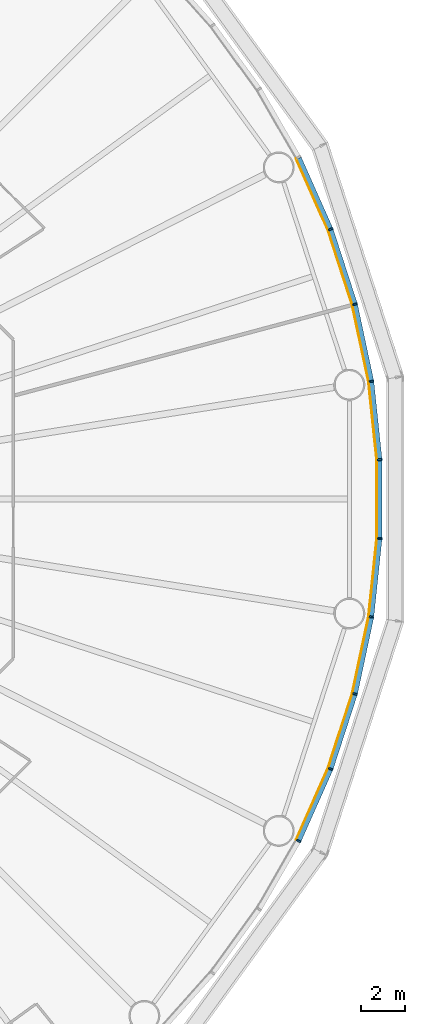
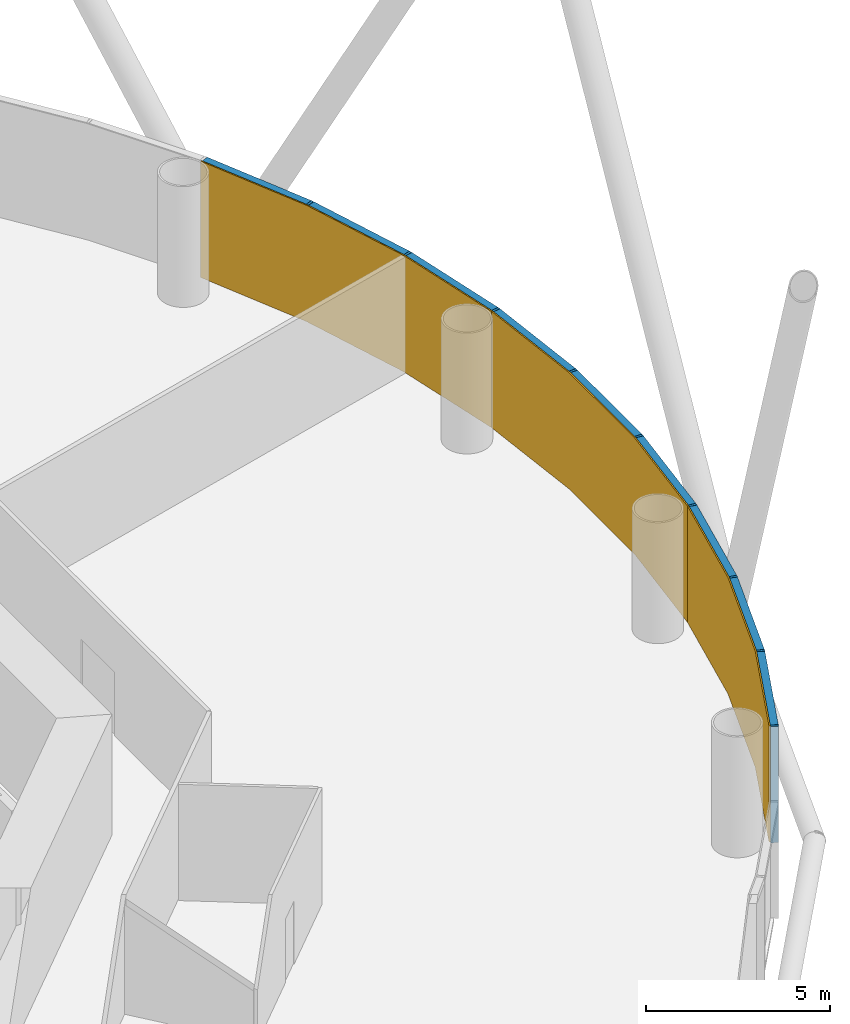
# One storey, part 11 of 13: 18 members, 3 curtain walls.
"""IFC4 building model written with IfcOpenShell, lengths in metres."""

from ifc_helpers import new_model, si_unit, direction, frame, origin, origin_2d, place, context, subcontext, project, spatial, polyline, rectangle, outline, extrude, material, layer, layer_set, material_profile, profile_set, type_object, element, aggregate, save


model = new_model("IFC4")

# Units and contexts
model_context = context("Model", 3, precision=1e-05, world=origin(), true_north=direction((0.0, 1.0)))
body_context = subcontext(model_context, "Body", "Model", "MODEL_VIEW")
ifc_project = project(units=[si_unit("LENGTHUNIT", "METRE"), si_unit("AREAUNIT", "SQUARE_METRE"), si_unit("VOLUMEUNIT", "CUBIC_METRE"), si_unit("PLANEANGLEUNIT", "RADIAN"), si_unit("MASSUNIT", "GRAM", prefix="KILO")], contexts=[model_context])

# Member
ifc_material_1 = material(Name="Anodised aluminium", Category="aluminium")
ifc_material_profile_1 = material_profile(ifc_material_1, rectangle(XDim=0.074951171875, YDim=0.219970703125, at=origin_2d()), Name="Mullion 75 x 220 mm anodised aluminium")
ifc_profile_set_1 = profile_set([ifc_material_profile_1], Name="Anodised aluminium")
member_type_1 = type_object("IfcMemberType", Name="Mullion 75 x 220 mm anodised aluminium", PredefinedType="MULLION", material=ifc_profile_set_1)
site_placement = place(None, origin())
building_placement = place(site_placement, origin())
storey_placement = place(building_placement, frame((0.0, 0.0, 18.0)))
member_1_placement = place(storey_placement, frame((123.68994140625, 85.3359375, 0.0), z_axis=(0.0, 0.0, 1.0), x_axis=(-0.15643446504, 0.987688340595, 0.0)))
member_1 = element("IfcMember", 1, at=member_1_placement, type_object=member_type_1, Name="MULLION L02-00", PredefinedType="MULLION", context=body_context, shape_type="SweptSolid", body=[
    extrude(rectangle(XDim=0.074951171875, YDim=0.219970703125, at=origin_2d()), origin(), (0.0, 0.0, 1.0), 3.85009765625),
])

member_2_placement = place(storey_placement, frame((122.94775390625, 88.828369140625, 0.0), z_axis=(0.0, 0.0, 1.0), x_axis=(-0.258819045103, 0.965925826289, 0.0)))
member_2 = element("IfcMember", 2, at=member_2_placement, type_object=member_type_1, Name="MULLION L02-01", PredefinedType="MULLION", context=body_context, shape_type="SweptSolid", body=[
    extrude(rectangle(XDim=0.074951171875, YDim=0.219970703125, at=origin_2d()), origin(), (0.0, 0.0, 1.0), 3.85009765625),
])

member_3_placement = place(storey_placement, frame((121.844482421875, 92.223876953125, 0.0), z_axis=(0.0, 0.0, 1.0), x_axis=(-0.358367949545, 0.933580426497, 0.0)))
member_3 = element("IfcMember", 3, at=member_3_placement, type_object=member_type_1, Name="MULLION L02-02", PredefinedType="MULLION", context=body_context, shape_type="SweptSolid", body=[
    extrude(rectangle(XDim=0.074951171875, YDim=0.219970703125, at=origin_2d()), origin(), (0.0, 0.0, 1.0), 3.85009765625),
])

member_4_placement = place(storey_placement, frame((120.392333984375, 64.514404296875, 0.0), z_axis=(0.0, 0.0, 1.0), x_axis=(0.45399049974, 0.891006524188, 0.0)))
member_4 = element("IfcMember", 4, at=member_4_placement, type_object=member_type_1, Name="MULLION L02-54", PredefinedType="MULLION", context=body_context, shape_type="SweptSolid", body=[
    extrude(rectangle(XDim=0.074951171875, YDim=0.219970703125, at=origin_2d()), origin(), (0.0, 0.0, 1.0), 3.85009765625),
])

member_5_placement = place(storey_placement, frame((121.844482421875, 67.776123046875, 0.0), z_axis=(0.0, 0.0, 1.0), x_axis=(0.358367949545, 0.933580426497, 0.0)))
member_5 = element("IfcMember", 5, at=member_5_placement, type_object=member_type_1, Name="MULLION L02-55", PredefinedType="MULLION", context=body_context, shape_type="SweptSolid", body=[
    extrude(rectangle(XDim=0.074951171875, YDim=0.219970703125, at=origin_2d()), origin(), (0.0, 0.0, 1.0), 3.85009765625),
])

member_6_placement = place(storey_placement, frame((122.94775390625, 71.171630859375, 0.0), z_axis=(0.0, 0.0, 1.0), x_axis=(0.258819045103, 0.965925826289, 0.0)))
member_6 = element("IfcMember", 6, at=member_6_placement, type_object=member_type_1, Name="MULLION L02-56", PredefinedType="MULLION", context=body_context, shape_type="SweptSolid", body=[
    extrude(rectangle(XDim=0.074951171875, YDim=0.219970703125, at=origin_2d()), origin(), (0.0, 0.0, 1.0), 3.85009765625),
])

member_7_placement = place(storey_placement, frame((123.68994140625, 74.6640625, 0.0), z_axis=(0.0, 0.0, 1.0), x_axis=(0.15643446504, 0.987688340595, 0.0)))
member_7 = element("IfcMember", 7, at=member_7_placement, type_object=member_type_1, Name="MULLION L02-57", PredefinedType="MULLION", context=body_context, shape_type="SweptSolid", body=[
    extrude(rectangle(XDim=0.074951171875, YDim=0.219970703125, at=origin_2d()), origin(), (0.0, 0.0, 1.0), 3.85009765625),
])

member_8_placement = place(storey_placement, frame((124.063232421875, 78.21484375, 0.0), z_axis=(0.0, 0.0, 1.0), x_axis=(0.052335956243, 0.998629534755, 0.0)))
member_8 = element("IfcMember", 8, at=member_8_placement, type_object=member_type_1, Name="MULLION L02-58", PredefinedType="MULLION", context=body_context, shape_type="SweptSolid", body=[
    extrude(rectangle(XDim=0.074951171875, YDim=0.219970703125, at=origin_2d()), origin(), (0.0, 0.0, 1.0), 3.85009765625),
])

member_9_placement = place(storey_placement, frame((124.063232421875, 81.78515625, 0.0), z_axis=(0.0, 0.0, 1.0), x_axis=(-0.052335956243, 0.998629534755, 0.0)))
member_9 = element("IfcMember", 9, at=member_9_placement, type_object=member_type_1, Name="MULLION L02-59", PredefinedType="MULLION", context=body_context, shape_type="SweptSolid", body=[
    extrude(rectangle(XDim=0.074951171875, YDim=0.219970703125, at=origin_2d()), origin(), (0.0, 0.0, 1.0), 3.85009765625),
])

ifc_material_2 = material(Name="Anodised aluminium", Category="aluminium")
ifc_material_profile_2 = material_profile(ifc_material_2, rectangle(XDim=0.219970703125, YDim=0.199951171875, at=origin_2d()), Name="Transom 200 x 220 mm anodised aluminium")
ifc_profile_set_2 = profile_set([ifc_material_profile_2], Name="Anodised aluminium")
member_type_2 = type_object("IfcMemberType", Name="Transom 200 x 220 mm anodised aluminium", PredefinedType="USERDEFINED", material=ifc_profile_set_2)
member_10_placement = place(storey_placement, frame((123.68115234375, 85.37841796875, 3.75), z_axis=(-0.207920776701, 0.978145669426, 0.0), x_axis=(-0.978145669426, -0.207920776701, 0.0)))
member_10 = element("IfcMember", 10, at=member_10_placement, type_object=member_type_2, Name="TRANSOM L02-00", ObjectType="TRANSOM", PredefinedType="USERDEFINED", context=body_context, shape_type="SweptSolid", body=[
    extrude(rectangle(XDim=0.219970703125, YDim=0.199951171875, at=origin_2d()), origin(), (0.0, 0.0, 1.0), 3.48388671875),
])

member_11_placement = place(storey_placement, frame((122.9345703125, 88.869384765625, 3.75), z_axis=(-0.309029029702, 0.951052605696, 0.0), x_axis=(-0.951052605696, -0.309029029702, 0.0)))
member_11 = element("IfcMember", 11, at=member_11_placement, type_object=member_type_2, Name="TRANSOM L02-01", ObjectType="TRANSOM", PredefinedType="USERDEFINED", context=body_context, shape_type="SweptSolid", body=[
    extrude(rectangle(XDim=0.219970703125, YDim=0.199951171875, at=origin_2d()), origin(), (0.0, 0.0, 1.0), 3.484130859375),
])

member_12_placement = place(storey_placement, frame((121.826904296875, 92.263427734375, 3.75), z_axis=(-0.406736576304, 0.913545487371, 0.0), x_axis=(-0.913545487371, -0.406736576304, 0.0)))
member_12 = element("IfcMember", 12, at=member_12_placement, type_object=member_type_2, Name="TRANSOM L02-02", ObjectType="TRANSOM", PredefinedType="USERDEFINED", context=body_context, shape_type="SweptSolid", body=[
    extrude(rectangle(XDim=0.219970703125, YDim=0.199951171875, at=origin_2d()), origin(), (0.0, 0.0, 1.0), 3.48388671875),
])

member_13_placement = place(storey_placement, frame((120.409912109375, 64.553955078125, 3.75), z_axis=(0.406736576304, 0.913545487371, 0.0), x_axis=(-0.913545487371, 0.406736576304, 0.0)))
member_13 = element("IfcMember", 13, at=member_13_placement, type_object=member_type_2, Name="TRANSOM L02-54", ObjectType="TRANSOM", PredefinedType="USERDEFINED", context=body_context, shape_type="SweptSolid", body=[
    extrude(rectangle(XDim=0.219970703125, YDim=0.199951171875, at=origin_2d()), origin(), (0.0, 0.0, 1.0), 3.48388671875),
])

member_14_placement = place(storey_placement, frame((121.85791015625, 67.817138671875, 3.75), z_axis=(0.309029029702, 0.951052605696, 0.0), x_axis=(-0.951052605696, 0.309029029702, 0.0)))
member_14 = element("IfcMember", 14, at=member_14_placement, type_object=member_type_2, Name="TRANSOM L02-55", ObjectType="TRANSOM", PredefinedType="USERDEFINED", context=body_context, shape_type="SweptSolid", body=[
    extrude(rectangle(XDim=0.219970703125, YDim=0.199951171875, at=origin_2d()), origin(), (0.0, 0.0, 1.0), 3.484130859375),
])

member_15_placement = place(storey_placement, frame((122.956787109375, 71.2138671875, 3.75), z_axis=(0.207920776701, 0.978145669426, 0.0), x_axis=(-0.978145669426, 0.207920776701, 0.0)))
member_15 = element("IfcMember", 15, at=member_15_placement, type_object=member_type_2, Name="TRANSOM L02-56", ObjectType="TRANSOM", PredefinedType="USERDEFINED", context=body_context, shape_type="SweptSolid", body=[
    extrude(rectangle(XDim=0.219970703125, YDim=0.199951171875, at=origin_2d()), origin(), (0.0, 0.0, 1.0), 3.48388671875),
])

member_16_placement = place(storey_placement, frame((123.69482421875, 74.70703125, 3.75), z_axis=(0.104484152234, 0.994526551648, 0.0), x_axis=(-0.994526551648, 0.104484152234, 0.0)))
member_16 = element("IfcMember", 16, at=member_16_placement, type_object=member_type_2, Name="TRANSOM L02-57", ObjectType="TRANSOM", PredefinedType="USERDEFINED", context=body_context, shape_type="SweptSolid", body=[
    extrude(rectangle(XDim=0.219970703125, YDim=0.199951171875, at=origin_2d()), origin(), (0.0, 0.0, 1.0), 3.48388671875),
])

member_17_placement = place(storey_placement, frame((124.0634765625, 78.258056640625, 3.75), z_axis=(0.0, 1.0, 0.0), x_axis=(-1.0, 0.0, 0.0)))
member_17 = element("IfcMember", 17, at=member_17_placement, type_object=member_type_2, Name="TRANSOM L02-58", ObjectType="TRANSOM", PredefinedType="USERDEFINED", context=body_context, shape_type="SweptSolid", body=[
    extrude(rectangle(XDim=0.219970703125, YDim=0.199951171875, at=origin_2d()), origin(), (0.0, 0.0, 1.0), 3.48388671875),
])

member_18_placement = place(storey_placement, frame((124.058837890625, 81.828125, 3.75), z_axis=(-0.104484152234, 0.994526551648, 0.0), x_axis=(-0.994526551648, -0.104484152234, 0.0)))
member_18 = element("IfcMember", 18, at=member_18_placement, type_object=member_type_2, Name="TRANSOM L02-59", ObjectType="TRANSOM", PredefinedType="USERDEFINED", context=body_context, shape_type="SweptSolid", body=[
    extrude(rectangle(XDim=0.219970703125, YDim=0.199951171875, at=origin_2d()), origin(), (0.0, 0.0, 1.0), 3.48388671875),
])

# Site, building, storey
site = spatial("IfcSite", under=ifc_project, at=site_placement, CompositionType="ELEMENT")
building = spatial("IfcBuilding", under=site, at=building_placement, Name="Entoto Ring Tower", CompositionType="ELEMENT")
storey = spatial("IfcBuildingStorey", under=building, at=storey_placement, Name="L02", CompositionType="ELEMENT", Elevation=18.0)

# Curtain wall
ifc_material_3 = material(Name="Clear low-iron glass", Category="glass")
ifc_layer = layer(ifc_material_3, 0.0400390625)
ifc_layer_set = layer_set([ifc_layer], Name="Clear low-iron glass")
curtain_wall_type = type_object("IfcCurtainWallType", Name="Curtain wall system CW1 glazing 40 mm", PredefinedType="NOTDEFINED", material=ifc_layer_set)
curtain_wall_1_placement = place(storey_placement, origin())
curtain_wall_1 = element("IfcCurtainWall", 19, at=curtain_wall_1_placement, inside=storey, type_object=curtain_wall_type, Name="CW1 L02-01", PredefinedType="NOTDEFINED", context=body_context, shape_type="SweptSolid", body=[
    extrude(outline(polyline([(123.581298828125, 85.31884765625), (122.841552734375, 88.7998046875), (121.74169921875, 92.1845703125), (120.294189453125, 95.435791015625), (120.258544921875, 95.41748046875), (121.704345703125, 92.170166015625), (122.802734375, 88.78955078125), (123.541748046875, 85.3125), (123.581298828125, 85.31884765625)])), origin(), (0.0, 0.0, 1.0), 3.85009765625),
])

aggregate(curtain_wall_1, [member_1, member_2, member_3, member_10, member_11, member_12])

curtain_wall_2_placement = place(storey_placement, origin())
curtain_wall_2 = element("IfcCurtainWall", 20, at=curtain_wall_2_placement, inside=storey, type_object=curtain_wall_type, Name="CW1 L02-19", PredefinedType="NOTDEFINED", context=body_context, shape_type="SweptSolid", body=[
    extrude(outline(polyline([(120.294189453125, 64.564208984375), (121.74169921875, 67.8154296875), (122.841552734375, 71.2001953125), (123.581298828125, 74.68115234375), (123.541748046875, 74.6875), (122.802734375, 71.21044921875), (121.704345703125, 67.829833984375), (120.258544921875, 64.58251953125), (120.294189453125, 64.564208984375)])), origin(), (0.0, 0.0, 1.0), 3.85009765625),
])

aggregate(curtain_wall_2, [member_4, member_5, member_6, member_13, member_14, member_15])

curtain_wall_3_placement = place(storey_placement, origin())
curtain_wall_3 = element("IfcCurtainWall", 21, at=curtain_wall_3_placement, inside=storey, type_object=curtain_wall_type, Name="CW1 L02-20", PredefinedType="NOTDEFINED", context=body_context, shape_type="SweptSolid", body=[
    extrude(outline(polyline([(123.581298828125, 74.68115234375), (123.953369140625, 78.220458984375), (123.953369140625, 81.779541015625), (123.581298828125, 85.31884765625), (123.541748046875, 85.3125), (123.913330078125, 81.77734375), (123.913330078125, 78.22265625), (123.541748046875, 74.6875), (123.581298828125, 74.68115234375)])), origin(), (0.0, 0.0, 1.0), 3.85009765625),
])

aggregate(curtain_wall_3, [member_7, member_8, member_9, member_16, member_17, member_18])

save(model, "model.ifc")
